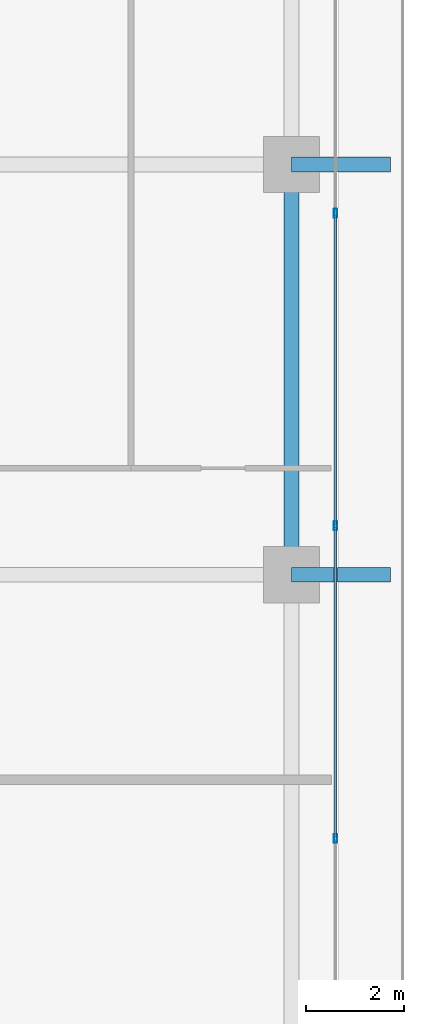
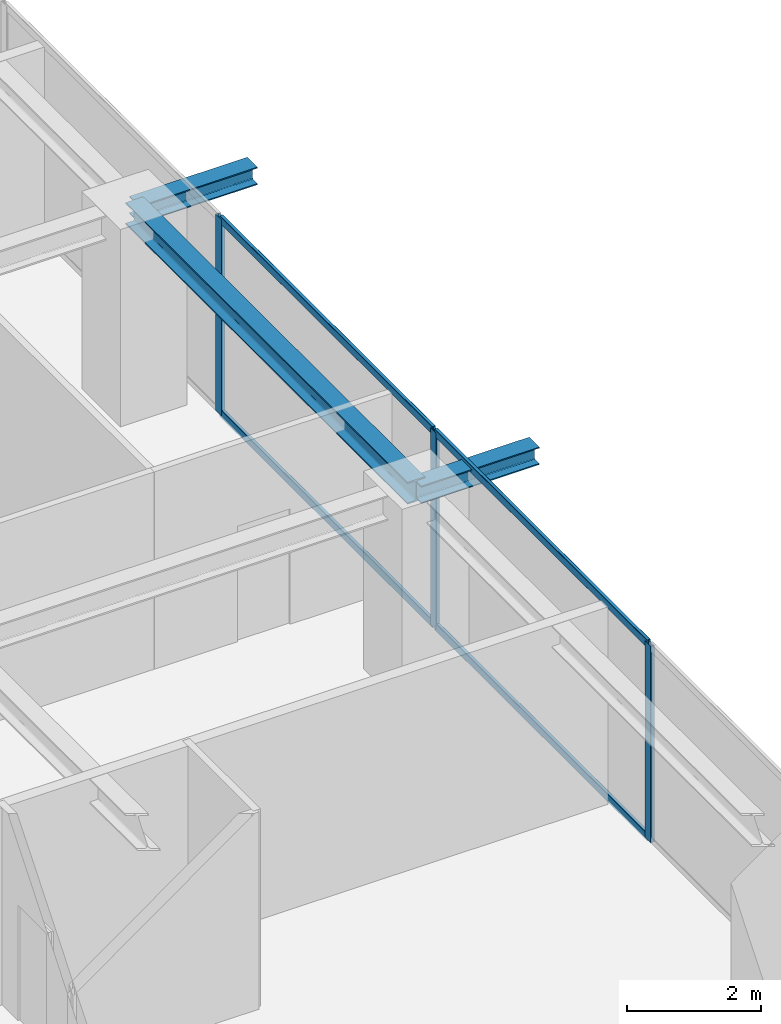
# One storey, part 15 of 35: 7 members, 3 beams, 1 element without a shape of its own.
"""IFC4 building model written with IfcOpenShell, lengths in metres."""

from ifc_helpers import new_model, si_unit, direction, frame, origin, origin_2d, place, context, subcontext, project, spatial, hollow_rectangle, i_section, extrude, source, transform, mapped, material, layer, layer_set, material_profile, profile_set, type_object, element, aggregate, save


model = new_model("IFC4")

# Units and contexts
model_context = context("Model", 3, precision=1e-05, world=origin(), true_north=direction((0.0, 1.0)))
body_context = subcontext(model_context, "Body", "Model", "MODEL_VIEW")
ifc_project = project(units=[si_unit("LENGTHUNIT", "METRE"), si_unit("AREAUNIT", "SQUARE_METRE"), si_unit("VOLUMEUNIT", "CUBIC_METRE"), si_unit("PLANEANGLEUNIT", "RADIAN"), si_unit("MASSUNIT", "GRAM", prefix="KILO")], contexts=[model_context])

# Site, building, storey
site_placement = place(None, origin())
site = spatial("IfcSite", under=ifc_project, at=site_placement, CompositionType="ELEMENT")
building_placement = place(site_placement, origin())
building = spatial("IfcBuilding", under=site, at=building_placement, Name="Serunith Strait Residences", CompositionType="ELEMENT")
storey_placement = place(building_placement, frame((0.0, 0.0, 210.449951171875)))
storey = spatial("IfcBuildingStorey", under=building, at=storey_placement, Name="L52", CompositionType="ELEMENT", Elevation=210.449951171875)

# Beams
ifc_material_1 = material(Name="Steel S355J2", Category="steel")
ifc_material_profile_1 = material_profile(ifc_material_1, i_section(OverallWidth=0.300048828125, OverallDepth=0.39990234375, WebThickness=0.013427734375, FlangeThickness=0.02392578125, FilletRadius=0.027099609375, at=origin_2d()), Name="HEB 400")
ifc_profile_set_1 = profile_set([ifc_material_profile_1], Name="Steel S355J2")
beam_type_1 = type_object("IfcBeamType", Name="BM-HEB400", PredefinedType="BEAM", material=ifc_profile_set_1)
shared_shape_1 = source(origin(), body_context, "Body", "SweptSolid", [
    extrude(i_section(OverallWidth=0.300048828125, OverallDepth=0.39990234375, WebThickness=0.013427734375, FlangeThickness=0.02392578125, FilletRadius=0.027099609375, at=origin_2d()), origin(), (0.0, 0.0, 1.0), 8.39990234375),
])
beam_placement = place(storey_placement, frame((56.5, 21.0, 3.386962890625), z_axis=(0.0, 1.0, 0.0), x_axis=(-1.0, 0.0, 0.0)))
element("IfcBeam", 1, at=beam_placement, inside=storey, type_object=beam_type_1, Name="L52 Perimeter Ring Beam 06", PredefinedType="BEAM", context=body_context, shape_type="MappedRepresentation", body=[
    mapped(shared_shape_1, transform((0.0, 0.0, 0.0), scale=1.0)),
])
ifc_material_profile_2 = material_profile(ifc_material_1, i_section(OverallWidth=0.300048828125, OverallDepth=0.320068359375, WebThickness=0.011474609375, FlangeThickness=0.0205078125, FilletRadius=0.027099609375, at=origin_2d()), Name="HEB 320")
ifc_profile_set_2 = profile_set([ifc_material_profile_2], Name="Steel S355J2")
beam_type_2 = type_object("IfcBeamType", Name="BM-HEB320", PredefinedType="BEAM", material=ifc_profile_set_2)
shared_shape_2 = source(origin(), body_context, "Body", "SweptSolid", [
    extrude(i_section(OverallWidth=0.300048828125, OverallDepth=0.320068359375, WebThickness=0.011474609375, FlangeThickness=0.0205078125, FilletRadius=0.027099609375, at=origin_2d()), origin(), (0.0, 0.0, 1.0), 2.030029296875),
])
for number, where, z_axis, x_axis, name in (
    (2, (56.5, 21.0, 3.39697265625), (1.0, 0.0, 0.0), (0.0, 1.0, 0.0), "L53 Cantilevered Balcony Rib TC-E2"),
    (3, (56.5, 29.39990234375, 3.39697265625), (1.0, 0.0, 0.0), (0.0, 1.0, 0.0), "L53 Cantilevered Balcony Rib TC-E3"),
):
    element("IfcBeam", number, at=place(storey_placement, frame(where, z_axis=z_axis, x_axis=x_axis)), inside=storey, type_object=beam_type_2, Name=name, PredefinedType="BEAM", context=body_context, shape_type="MappedRepresentation", body=[
        mapped(shared_shape_2, transform((0.0, 0.0, 0.0), scale=1.0)),
    ])

# Curtain wall, members
ifc_material_2 = material(Name="Pale-Champagne Anodised Aluminium", Category="aluminium")
ifc_layer = layer(ifc_material_2, 0.199951171875, Name="Pale-Champagne Anodised Aluminium")
ifc_layer_set = layer_set([ifc_layer], Name="Pale-Champagne Anodised Aluminium")
curtain_wall_type = type_object("IfcCurtainWallType", Name="CW-SYS4", PredefinedType="NOTDEFINED", material=ifc_layer_set)
curtain_wall_placement = place(storey_placement, origin())
curtain_wall = element("IfcCurtainWall", 4, at=curtain_wall_placement, inside=storey, type_object=curtain_wall_type, Name="L52 E Unitised Fritted Curtain Wall", PredefinedType="NOTDEFINED")
ifc_material_profile_3 = material_profile(ifc_material_2, hollow_rectangle(XDim=0.06494140625, YDim=0.179931640625, WallThickness=0.00341796875, InnerFilletRadius=0.00537109375, OuterFilletRadius=0.0087890625, at=origin_2d()), Name="ALU 180x65x3.5")
ifc_profile_set_3 = profile_set([ifc_material_profile_3], Name="Pale-Champagne Anodised Aluminium")
member_type_1 = type_object("IfcMemberType", Name="CW-SYS4-MULL", PredefinedType="MULLION", material=ifc_profile_set_3)
shared_shape_3 = source(origin(), body_context, "Body", "SweptSolid", [
    extrude(hollow_rectangle(XDim=0.06494140625, YDim=0.179931640625, WallThickness=0.00341796875, InnerFilletRadius=0.00537109375, OuterFilletRadius=0.0087890625, at=origin_2d()), origin(), (0.0, 0.0, 1.0), 3.574951171875),
])
member_1_placement = place(storey_placement, frame((57.39990234375, 15.60009765625, 0.0), z_axis=(0.0, 0.0, 1.0), x_axis=(-1.0, 0.0, 0.0)))
member_1 = element("IfcMember", 5, at=member_1_placement, type_object=member_type_1, Name="CW-4 mullion 2", PredefinedType="MULLION", context=body_context, shape_type="MappedRepresentation", body=[
    mapped(shared_shape_3, transform((0.0, 0.0, 0.0), scale=1.0)),
])
member_2_placement = place(storey_placement, frame((57.39990234375, 22.0, 0.0), z_axis=(0.0, 0.0, 1.0), x_axis=(-1.0, 0.0, 0.0)))
member_2 = element("IfcMember", 6, at=member_2_placement, type_object=member_type_1, Name="CW-4 mullion 3", PredefinedType="MULLION", context=body_context, shape_type="MappedRepresentation", body=[
    mapped(shared_shape_3, transform((0.0, 0.0, 0.0), scale=1.0)),
])
member_3_placement = place(storey_placement, frame((57.39990234375, 28.39990234375, 0.0), z_axis=(0.0, 0.0, 1.0), x_axis=(-1.0, 0.0, 0.0)))
member_3 = element("IfcMember", 7, at=member_3_placement, type_object=member_type_1, Name="CW-4 mullion 4", PredefinedType="MULLION", context=body_context, shape_type="MappedRepresentation", body=[
    mapped(shared_shape_3, transform((0.0, 0.0, 0.0), scale=1.0)),
])
ifc_material_profile_4 = material_profile(ifc_material_2, hollow_rectangle(XDim=0.06005859375, YDim=0.139892578125, WallThickness=0.00341796875, InnerFilletRadius=0.00537109375, OuterFilletRadius=0.0087890625, at=origin_2d()), Name="ALU 140x60x3.5")
ifc_profile_set_4 = profile_set([ifc_material_profile_4], Name="Pale-Champagne Anodised Aluminium")
member_type_2 = type_object("IfcMemberType", Name="CW-SYS4-TRAN", PredefinedType="USERDEFINED", material=ifc_profile_set_4)
shared_shape_4 = source(origin(), body_context, "Body", "SweptSolid", [
    extrude(hollow_rectangle(XDim=0.06005859375, YDim=0.139892578125, WallThickness=0.00341796875, InnerFilletRadius=0.00537109375, OuterFilletRadius=0.0087890625, at=origin_2d()), origin(), (0.0, 0.0, 1.0), 6.3349609375),
])
member_4_placement = place(storey_placement, frame((57.39990234375, 15.632568359375, 0.030029296875), z_axis=(0.0, 1.0, 0.0), x_axis=(-1.0, 0.0, 0.0)))
member_4 = element("IfcMember", 8, at=member_4_placement, type_object=member_type_2, Name="CW-4 transom 2.1", ObjectType="TRANSOM", PredefinedType="USERDEFINED", context=body_context, shape_type="MappedRepresentation", body=[
    mapped(shared_shape_4, transform((0.0, 0.0, 0.0), scale=1.0)),
])
member_5_placement = place(storey_placement, frame((57.39990234375, 15.632568359375, 3.545166015625), z_axis=(0.0, 1.0, 0.0), x_axis=(-1.0, 0.0, 0.0)))
member_5 = element("IfcMember", 9, at=member_5_placement, type_object=member_type_2, Name="CW-4 transom 2.2", ObjectType="TRANSOM", PredefinedType="USERDEFINED", context=body_context, shape_type="MappedRepresentation", body=[
    mapped(shared_shape_4, transform((0.0, 0.0, 0.0), scale=1.0)),
])
member_6_placement = place(storey_placement, frame((57.39990234375, 22.032470703125, 0.030029296875), z_axis=(0.0, 1.0, 0.0), x_axis=(-1.0, 0.0, 0.0)))
member_6 = element("IfcMember", 10, at=member_6_placement, type_object=member_type_2, Name="CW-4 transom 3.1", ObjectType="TRANSOM", PredefinedType="USERDEFINED", context=body_context, shape_type="MappedRepresentation", body=[
    mapped(shared_shape_4, transform((0.0, 0.0, 0.0), scale=1.0)),
])
member_7_placement = place(storey_placement, frame((57.39990234375, 22.032470703125, 3.545166015625), z_axis=(0.0, 1.0, 0.0), x_axis=(-1.0, 0.0, 0.0)))
member_7 = element("IfcMember", 11, at=member_7_placement, type_object=member_type_2, Name="CW-4 transom 3.2", ObjectType="TRANSOM", PredefinedType="USERDEFINED", context=body_context, shape_type="MappedRepresentation", body=[
    mapped(shared_shape_4, transform((0.0, 0.0, 0.0), scale=1.0)),
])
aggregate(curtain_wall, [member_1, member_2, member_3, member_4, member_5, member_6, member_7])

save(model, "model.ifc")
